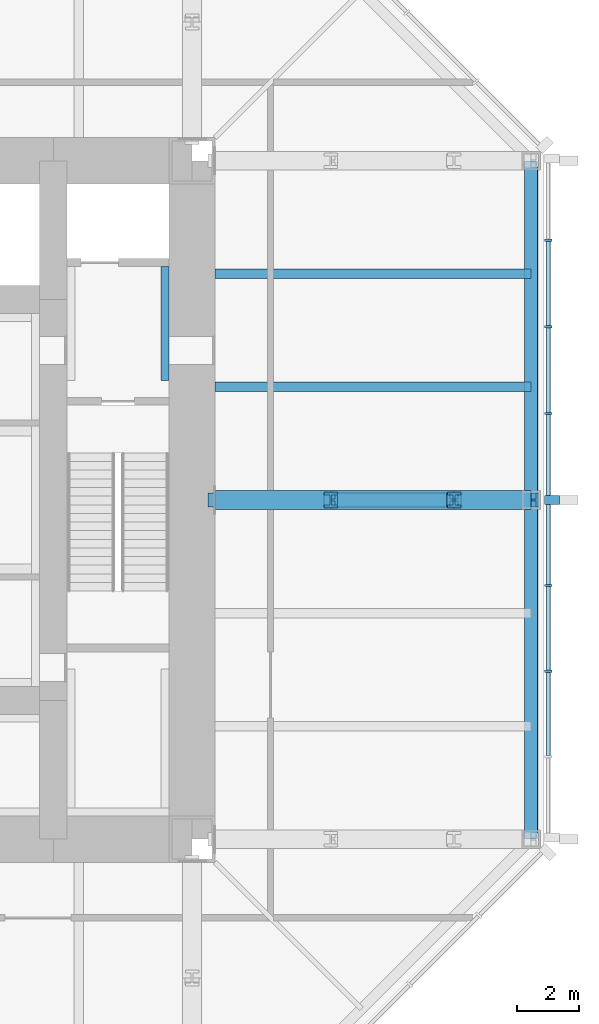
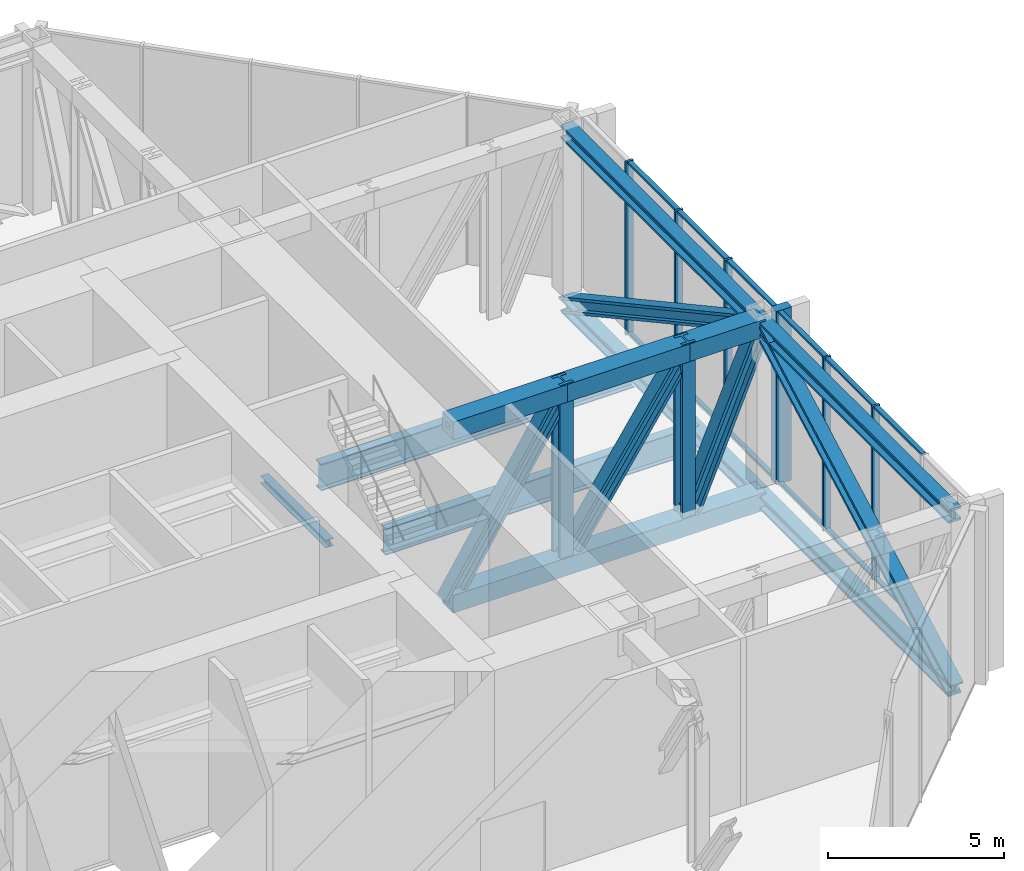
# One storey, part 5 of 11: 25 members, 11 beams, 1 element without a shape of its own.
"""IFC4 building model written with IfcOpenShell, lengths in metres."""

from ifc_helpers import new_model, si_unit, direction, frame, origin, origin_2d, place, context, subcontext, project, spatial, rectangle, hollow_rectangle, i_section, extrude, material, material_profile, profile_set, type_object, element, aggregate, save


model = new_model("IFC4")

# Units and contexts
model_context = context("Model", 3, precision=1e-05, world=origin(), true_north=direction((0.0, 1.0)))
body_context = subcontext(model_context, "Body", "Model", "MODEL_VIEW")
ifc_project = project(units=[si_unit("LENGTHUNIT", "METRE"), si_unit("AREAUNIT", "SQUARE_METRE"), si_unit("VOLUMEUNIT", "CUBIC_METRE"), si_unit("PLANEANGLEUNIT", "RADIAN"), si_unit("MASSUNIT", "GRAM", prefix="KILO")], contexts=[model_context])

# Site, building, storey
site_placement = place(None, origin())
site = spatial("IfcSite", under=ifc_project, at=site_placement, CompositionType="ELEMENT")
building_placement = place(site_placement, origin())
building = spatial("IfcBuilding", under=site, at=building_placement, Name="Trevanion Tower", CompositionType="ELEMENT")
storey_placement = place(building_placement, frame((0.0, 0.0, 178.699951171875)))
storey = spatial("IfcBuildingStorey", under=building, at=storey_placement, Name="L42", CompositionType="ELEMENT", Elevation=178.699951171875)

# Beams
ifc_material_1 = material(Name="Steel ASTM A992 Grade 50", Category="steel")
ifc_material_profile_1 = material_profile(ifc_material_1, i_section(OverallWidth=0.307373046875, OverallDepth=0.922119140625, WebThickness=0.018310546875, FlangeThickness=0.030029296875, at=origin_2d()), Name="W36X182")
ifc_profile_set_1 = profile_set([ifc_material_profile_1], Name="Steel ASTM A992 Grade 50")
beam_type_1 = type_object("IfcBeamType", Name="B9 W36X182", PredefinedType="BEAM", material=ifc_profile_set_1)
for number, where, z_axis, x_axis, name in (
    (1, (11.75, 3.666748046875, -0.65087890625), (1.0, 0.0, 0.0), (0.0, 1.0, 0.0), "B9 L42"),
    (2, (11.75, 7.333251953125, -0.65087890625), (1.0, 0.0, 0.0), (0.0, 1.0, 0.0), "B9 L42"),
):
    element("IfcBeam", number, at=place(storey_placement, frame(where, z_axis=z_axis, x_axis=x_axis)), inside=storey, type_object=beam_type_1, Name=name, PredefinedType="BEAM", context=body_context, shape_type="SweptSolid", body=[
        extrude(i_section(OverallWidth=0.307373046875, OverallDepth=0.922119140625, WebThickness=0.018310546875, FlangeThickness=0.030029296875, at=origin_2d()), origin(), (0.0, 0.0, 1.0), 10.25),
    ])
ifc_material_2 = material(Name="Steel ASTM A992 Grade 50", Category="steel")
ifc_material_profile_2 = material_profile(ifc_material_2, i_section(OverallWidth=0.421630859375, OverallDepth=0.46484375, WebThickness=0.044921875, FlangeThickness=0.072509765625, at=origin_2d()), Name="W14X398")
ifc_profile_set_2 = profile_set([ifc_material_profile_2], Name="Steel ASTM A992 Grade 50")
beam_type_2 = type_object("IfcBeamType", Name="BT2-CH W14X398", PredefinedType="BEAM", material=ifc_profile_set_2)
for number, where, z_axis, x_axis, name in (
    (3, (22.0, -11.0, -0.494873046875), (0.0, 1.0, 0.0), (-1.0, 0.0, 0.0), "BT2 belt truss chord"),
    (4, (22.0, -11.0, 5.505126953125), (0.0, 1.0, 0.0), (-1.0, 0.0, 0.0), "BT2 belt truss chord"),
    (5, (22.0, 0.0, -0.494873046875), (0.0, 1.0, 0.0), (-1.0, 0.0, 0.0), "BT2 belt truss chord"),
    (6, (22.0, 0.0, 5.505126953125), (0.0, 1.0, 0.0), (-1.0, 0.0, 0.0), "BT2 belt truss chord"),
):
    element("IfcBeam", number, at=place(storey_placement, frame(where, z_axis=z_axis, x_axis=x_axis)), inside=storey, type_object=beam_type_2, Name=name, PredefinedType="BEAM", context=body_context, shape_type="SweptSolid", body=[
        extrude(i_section(OverallWidth=0.421630859375, OverallDepth=0.46484375, WebThickness=0.044921875, FlangeThickness=0.072509765625, at=origin_2d()), origin(), (0.0, 0.0, 1.0), 11.0),
    ])

# Members
ifc_material_3 = material(Name="Steel ASTM A992 Grade 50", Category="steel")
ifc_material_profile_3 = material_profile(ifc_material_3, i_section(OverallWidth=0.431884765625, OverallDepth=0.497802734375, WebThickness=0.0556640625, FlangeThickness=0.0888671875, at=origin_2d()), Name="W14X500")
ifc_profile_set_3 = profile_set([ifc_material_profile_3], Name="Steel ASTM A992 Grade 50")
member_type_1 = type_object("IfcMemberType", Name="BT2-D W14X500", PredefinedType="BRACE", material=ifc_profile_set_3)
for number, where, z_axis, x_axis, name in (
    (7, (22.0, -11.0, -0.494873046875), (0.0, 0.877895572914, 0.478852130681), (-1.0, 0.0, 0.0), "BT2 belt truss diagonal"),
    (8, (22.0, 11.0, -0.494873046875), (0.0, -0.877895572914, 0.478852130681), (1.0, 0.0, 0.0), "BT2 belt truss diagonal"),
):
    element("IfcMember", number, at=place(storey_placement, frame(where, z_axis=z_axis, x_axis=x_axis)), inside=storey, type_object=member_type_1, Name=name, PredefinedType="BRACE", context=body_context, shape_type="SweptSolid", body=[
        extrude(i_section(OverallWidth=0.431884765625, OverallDepth=0.497802734375, WebThickness=0.0556640625, FlangeThickness=0.0888671875, at=origin_2d()), origin(), (0.0, 0.0, 1.0), 12.530029296875),
    ])

# Curtain wall, members
ifc_material_4 = material(Name="Aluminium louvres", Category="aluminium")
curtain_wall_type = type_object("IfcCurtainWallType", Name="CWL curtain wall", PredefinedType="USERDEFINED", material=ifc_material_4)
curtain_wall_placement = place(storey_placement, origin())
curtain_wall = element("IfcCurtainWall", 9, at=curtain_wall_placement, inside=storey, type_object=curtain_wall_type, Name="CWL L42 0", ObjectType="LOUVRE SCREEN", PredefinedType="USERDEFINED")
ifc_material_5 = material(Name="Aluminium extrusion, anodised bronze", Category="aluminium")
ifc_material_profile_4 = material_profile(ifc_material_5, rectangle(XDim=0.074951171875, YDim=0.25, at=origin_2d()), Name="CWL mullion")
ifc_profile_set_4 = profile_set([ifc_material_profile_4], Name="Aluminium extrusion, anodised bronze")
member_type_2 = type_object("IfcMemberType", Name="CWL mullion", PredefinedType="MULLION", material=ifc_profile_set_4)
member_1_placement = place(storey_placement, frame((22.550048828125, -5.548828125, -0.18994140625), z_axis=(0.0, 0.0, 1.0), x_axis=(0.0, 1.0, 0.0)))
member_1 = element("IfcMember", 10, at=member_1_placement, type_object=member_type_2, Name="CWL mullion 3", PredefinedType="MULLION", context=body_context, shape_type="SweptSolid", body=[
    extrude(rectangle(XDim=0.074951171875, YDim=0.25, at=origin_2d()), origin(), (0.0, 0.0, 1.0), 6.0),
])
member_2_placement = place(storey_placement, frame((22.550048828125, -2.7744140625, -0.18994140625), z_axis=(0.0, 0.0, 1.0), x_axis=(0.0, 1.0, 0.0)))
member_2 = element("IfcMember", 11, at=member_2_placement, type_object=member_type_2, Name="CWL mullion 4", PredefinedType="MULLION", context=body_context, shape_type="SweptSolid", body=[
    extrude(rectangle(XDim=0.074951171875, YDim=0.25, at=origin_2d()), origin(), (0.0, 0.0, 1.0), 6.0),
])
member_3_placement = place(storey_placement, frame((22.550048828125, 2.806884765625, -0.18994140625), z_axis=(0.0, 0.0, 1.0), x_axis=(0.0, 1.0, 0.0)))
member_3 = element("IfcMember", 12, at=member_3_placement, type_object=member_type_2, Name="CWL mullion 6", PredefinedType="MULLION", context=body_context, shape_type="SweptSolid", body=[
    extrude(rectangle(XDim=0.074951171875, YDim=0.25, at=origin_2d()), origin(), (0.0, 0.0, 1.0), 6.0),
])
member_4_placement = place(storey_placement, frame((22.550048828125, 5.614013671875, -0.18994140625), z_axis=(0.0, 0.0, 1.0), x_axis=(0.0, 1.0, 0.0)))
member_4 = element("IfcMember", 13, at=member_4_placement, type_object=member_type_2, Name="CWL mullion 7", PredefinedType="MULLION", context=body_context, shape_type="SweptSolid", body=[
    extrude(rectangle(XDim=0.074951171875, YDim=0.25, at=origin_2d()), origin(), (0.0, 0.0, 1.0), 6.0),
])
member_5_placement = place(storey_placement, frame((22.550048828125, 8.4208984375, -0.18994140625), z_axis=(0.0, 0.0, 1.0), x_axis=(0.0, 1.0, 0.0)))
member_5 = element("IfcMember", 14, at=member_5_placement, type_object=member_type_2, Name="CWL mullion 8", PredefinedType="MULLION", context=body_context, shape_type="SweptSolid", body=[
    extrude(rectangle(XDim=0.074951171875, YDim=0.25, at=origin_2d()), origin(), (0.0, 0.0, 1.0), 6.0),
])
ifc_material_6 = material(Name="Aluminium extrusion, anodised bronze", Category="aluminium")
ifc_material_profile_5 = material_profile(ifc_material_6, rectangle(XDim=0.300048828125, YDim=0.5, at=origin_2d()), Name="CWL pier mullion")
ifc_profile_set_5 = profile_set([ifc_material_profile_5], Name="Aluminium extrusion, anodised bronze")
member_type_3 = type_object("IfcMemberType", Name="CWL pier mullion", PredefinedType="MULLION", material=ifc_profile_set_5)
member_6_placement = place(storey_placement, frame((22.675048828125, 0.0, -0.18994140625), z_axis=(0.0, 0.0, 1.0), x_axis=(0.0, 1.0, 0.0)))
member_6 = element("IfcMember", 15, at=member_6_placement, type_object=member_type_3, Name="CWL pier mullion 5", PredefinedType="MULLION", context=body_context, shape_type="SweptSolid", body=[
    extrude(rectangle(XDim=0.300048828125, YDim=0.5, at=origin_2d()), origin(), (0.0, 0.0, 1.0), 6.0),
])
ifc_material_7 = material(Name="Aluminium extrusion, anodised bronze", Category="aluminium")
ifc_material_profile_6 = material_profile(ifc_material_7, rectangle(XDim=0.14990234375, YDim=0.074951171875, at=origin_2d()), Name="CWL transom")
ifc_profile_set_6 = profile_set([ifc_material_profile_6], Name="Aluminium extrusion, anodised bronze")
member_type_4 = type_object("IfcMemberType", Name="CWL transom", PredefinedType="USERDEFINED", material=ifc_profile_set_6)
member_7_placement = place(storey_placement, frame((22.550048828125, -8.285888671875, -0.15234375), z_axis=(0.0, 1.0, 0.0), x_axis=(-1.0, 0.0, 0.0)))
member_7 = element("IfcMember", 16, at=member_7_placement, type_object=member_type_4, Name="CWL transom 2.1", ObjectType="TRANSOM", PredefinedType="USERDEFINED", context=body_context, shape_type="SweptSolid", body=[
    extrude(rectangle(XDim=0.14990234375, YDim=0.074951171875, at=origin_2d()), origin(), (0.0, 0.0, 1.0), 2.699462890625),
])
member_8_placement = place(storey_placement, frame((22.550048828125, -8.285888671875, 5.7724609375), z_axis=(0.0, 1.0, 0.0), x_axis=(-1.0, 0.0, 0.0)))
member_8 = element("IfcMember", 17, at=member_8_placement, type_object=member_type_4, Name="CWL transom 2.2", ObjectType="TRANSOM", PredefinedType="USERDEFINED", context=body_context, shape_type="SweptSolid", body=[
    extrude(rectangle(XDim=0.14990234375, YDim=0.074951171875, at=origin_2d()), origin(), (0.0, 0.0, 1.0), 2.699462890625),
])
member_9_placement = place(storey_placement, frame((22.550048828125, -5.511474609375, -0.15234375), z_axis=(0.0, 1.0, 0.0), x_axis=(-1.0, 0.0, 0.0)))
member_9 = element("IfcMember", 18, at=member_9_placement, type_object=member_type_4, Name="CWL transom 3.1", ObjectType="TRANSOM", PredefinedType="USERDEFINED", context=body_context, shape_type="SweptSolid", body=[
    extrude(rectangle(XDim=0.14990234375, YDim=0.074951171875, at=origin_2d()), origin(), (0.0, 0.0, 1.0), 2.699462890625),
])
member_10_placement = place(storey_placement, frame((22.550048828125, -5.511474609375, 5.7724609375), z_axis=(0.0, 1.0, 0.0), x_axis=(-1.0, 0.0, 0.0)))
member_10 = element("IfcMember", 19, at=member_10_placement, type_object=member_type_4, Name="CWL transom 3.2", ObjectType="TRANSOM", PredefinedType="USERDEFINED", context=body_context, shape_type="SweptSolid", body=[
    extrude(rectangle(XDim=0.14990234375, YDim=0.074951171875, at=origin_2d()), origin(), (0.0, 0.0, 1.0), 2.699462890625),
])
member_11_placement = place(storey_placement, frame((22.550048828125, -2.737060546875, -0.15234375), z_axis=(0.0, 1.0, 0.0), x_axis=(-1.0, 0.0, 0.0)))
member_11 = element("IfcMember", 20, at=member_11_placement, type_object=member_type_4, Name="CWL transom 4.1", ObjectType="TRANSOM", PredefinedType="USERDEFINED", context=body_context, shape_type="SweptSolid", body=[
    extrude(rectangle(XDim=0.14990234375, YDim=0.074951171875, at=origin_2d()), origin(), (0.0, 0.0, 1.0), 2.587158203125),
])
member_12_placement = place(storey_placement, frame((22.550048828125, -2.737060546875, 5.7724609375), z_axis=(0.0, 1.0, 0.0), x_axis=(-1.0, 0.0, 0.0)))
member_12 = element("IfcMember", 21, at=member_12_placement, type_object=member_type_4, Name="CWL transom 4.2", ObjectType="TRANSOM", PredefinedType="USERDEFINED", context=body_context, shape_type="SweptSolid", body=[
    extrude(rectangle(XDim=0.14990234375, YDim=0.074951171875, at=origin_2d()), origin(), (0.0, 0.0, 1.0), 2.587158203125),
])
member_13_placement = place(storey_placement, frame((22.550048828125, 0.14990234375, -0.15234375), z_axis=(0.0, 1.0, 0.0), x_axis=(-1.0, 0.0, 0.0)))
member_13 = element("IfcMember", 22, at=member_13_placement, type_object=member_type_4, Name="CWL transom 5.1", ObjectType="TRANSOM", PredefinedType="USERDEFINED", context=body_context, shape_type="SweptSolid", body=[
    extrude(rectangle(XDim=0.14990234375, YDim=0.074951171875, at=origin_2d()), origin(), (0.0, 0.0, 1.0), 2.619384765625),
])
member_14_placement = place(storey_placement, frame((22.550048828125, 0.14990234375, 5.7724609375), z_axis=(0.0, 1.0, 0.0), x_axis=(-1.0, 0.0, 0.0)))
member_14 = element("IfcMember", 23, at=member_14_placement, type_object=member_type_4, Name="CWL transom 5.2", ObjectType="TRANSOM", PredefinedType="USERDEFINED", context=body_context, shape_type="SweptSolid", body=[
    extrude(rectangle(XDim=0.14990234375, YDim=0.074951171875, at=origin_2d()), origin(), (0.0, 0.0, 1.0), 2.619384765625),
])
member_15_placement = place(storey_placement, frame((22.550048828125, 2.844482421875, -0.15234375), z_axis=(0.0, 1.0, 0.0), x_axis=(-1.0, 0.0, 0.0)))
member_15 = element("IfcMember", 24, at=member_15_placement, type_object=member_type_4, Name="CWL transom 6.1", ObjectType="TRANSOM", PredefinedType="USERDEFINED", context=body_context, shape_type="SweptSolid", body=[
    extrude(rectangle(XDim=0.14990234375, YDim=0.074951171875, at=origin_2d()), origin(), (0.0, 0.0, 1.0), 2.73193359375),
])
member_16_placement = place(storey_placement, frame((22.550048828125, 2.844482421875, 5.7724609375), z_axis=(0.0, 1.0, 0.0), x_axis=(-1.0, 0.0, 0.0)))
member_16 = element("IfcMember", 25, at=member_16_placement, type_object=member_type_4, Name="CWL transom 6.2", ObjectType="TRANSOM", PredefinedType="USERDEFINED", context=body_context, shape_type="SweptSolid", body=[
    extrude(rectangle(XDim=0.14990234375, YDim=0.074951171875, at=origin_2d()), origin(), (0.0, 0.0, 1.0), 2.73193359375),
])
member_17_placement = place(storey_placement, frame((22.550048828125, 5.6513671875, -0.15234375), z_axis=(0.0, 1.0, 0.0), x_axis=(-1.0, 0.0, 0.0)))
member_17 = element("IfcMember", 26, at=member_17_placement, type_object=member_type_4, Name="CWL transom 7.1", ObjectType="TRANSOM", PredefinedType="USERDEFINED", context=body_context, shape_type="SweptSolid", body=[
    extrude(rectangle(XDim=0.14990234375, YDim=0.074951171875, at=origin_2d()), origin(), (0.0, 0.0, 1.0), 2.73193359375),
])
member_18_placement = place(storey_placement, frame((22.550048828125, 5.6513671875, 5.7724609375), z_axis=(0.0, 1.0, 0.0), x_axis=(-1.0, 0.0, 0.0)))
member_18 = element("IfcMember", 27, at=member_18_placement, type_object=member_type_4, Name="CWL transom 7.2", ObjectType="TRANSOM", PredefinedType="USERDEFINED", context=body_context, shape_type="SweptSolid", body=[
    extrude(rectangle(XDim=0.14990234375, YDim=0.074951171875, at=origin_2d()), origin(), (0.0, 0.0, 1.0), 2.73193359375),
])
aggregate(curtain_wall, [member_1, member_2, member_6, member_3, member_4, member_5, member_7, member_8, member_9, member_10, member_11, member_12, member_13, member_14, member_15, member_16, member_17, member_18])

# Beams
ifc_material_8 = material(Name="Steel ASTM A992 Grade 50", Category="steel")
ifc_material_profile_7 = material_profile(ifc_material_8, i_section(OverallWidth=0.256591796875, OverallDepth=0.26416015625, WebThickness=0.011962890625, FlangeThickness=0.01953125, at=origin_2d()), Name="W10X68")
ifc_profile_set_7 = profile_set([ifc_material_profile_7], Name="Steel ASTM A992 Grade 50")
beam_type_3 = type_object("IfcBeamType", Name="LB1 W10X68", PredefinedType="BEAM", material=ifc_profile_set_7)
beam_1_placement = place(storey_placement, frame((10.12158203125, 3.875, -0.33203125), z_axis=(0.0, 1.0, 0.0), x_axis=(-1.0, 0.0, 0.0)))
element("IfcBeam", 28, at=beam_1_placement, inside=storey, type_object=beam_type_3, Name="LB1 L42", PredefinedType="BEAM", context=body_context, shape_type="SweptSolid", body=[
    extrude(i_section(OverallWidth=0.256591796875, OverallDepth=0.26416015625, WebThickness=0.011962890625, FlangeThickness=0.01953125, at=origin_2d()), origin(), (0.0, 0.0, 1.0), 3.699951171875),
])
ifc_material_9 = material(Name="Steel ASTM A588 Grade 50", Category="steel")
ifc_material_profile_8 = material_profile(ifc_material_9, hollow_rectangle(XDim=0.609619140625, YDim=0.609619140625, WallThickness=0.203125, at=origin_2d()), Name="BOX24X24X8")
ifc_profile_set_8 = profile_set([ifc_material_profile_8], Name="Steel ASTM A588 Grade 50")
beam_type_4 = type_object("IfcBeamType", Name="OT2-CH BOX24X24X8", PredefinedType="BEAM", material=ifc_profile_set_8)
beam_2_placement = place(storey_placement, frame((11.75, 0.0, -0.494873046875), z_axis=(1.0, 0.0, 0.0), x_axis=(0.0, 1.0, 0.0)))
element("IfcBeam", 29, at=beam_2_placement, inside=storey, type_object=beam_type_4, Name="OT2 16/H outrigger and transfer truss chord", PredefinedType="BEAM", context=body_context, shape_type="SweptSolid", body=[
    extrude(hollow_rectangle(XDim=0.609619140625, YDim=0.609619140625, WallThickness=0.203125, at=origin_2d()), origin(), (0.0, 0.0, 1.0), 10.25),
])
beam_3_placement = place(storey_placement, frame((11.75, 0.0, 5.505126953125), z_axis=(1.0, 0.0, 0.0), x_axis=(0.0, 1.0, 0.0)))
element("IfcBeam", 30, at=beam_3_placement, inside=storey, type_object=beam_type_4, Name="OT2 16/H outrigger and transfer truss chord", PredefinedType="BEAM", context=body_context, shape_type="SweptSolid", body=[
    extrude(hollow_rectangle(XDim=0.609619140625, YDim=0.609619140625, WallThickness=0.203125, at=origin_2d()), origin(), (0.0, 0.0, 1.0), 3.75),
])
beam_4_placement = place(storey_placement, frame((15.5, 0.0, 5.505126953125), z_axis=(1.0, 0.0, 0.0), x_axis=(0.0, 1.0, 0.0)))
element("IfcBeam", 31, at=beam_4_placement, inside=storey, type_object=beam_type_4, Name="OT2 16/H outrigger and transfer truss chord", PredefinedType="BEAM", context=body_context, shape_type="SweptSolid", body=[
    extrude(hollow_rectangle(XDim=0.609619140625, YDim=0.609619140625, WallThickness=0.203125, at=origin_2d()), origin(), (0.0, 0.0, 1.0), 4.0),
])
beam_5_placement = place(storey_placement, frame((19.5, 0.0, 5.505126953125), z_axis=(1.0, 0.0, 0.0), x_axis=(0.0, 1.0, 0.0)))
element("IfcBeam", 32, at=beam_5_placement, inside=storey, type_object=beam_type_4, Name="OT2 16/H outrigger and transfer truss chord", PredefinedType="BEAM", context=body_context, shape_type="SweptSolid", body=[
    extrude(hollow_rectangle(XDim=0.609619140625, YDim=0.609619140625, WallThickness=0.203125, at=origin_2d()), origin(), (0.0, 0.0, 1.0), 2.5),
])

# Members
ifc_material_10 = material(Name="Steel ASTM A992 Grade 50", Category="steel")
ifc_material_profile_9 = material_profile(ifc_material_10, i_section(OverallWidth=0.44189453125, OverallDepth=0.53076171875, WebThickness=0.06591796875, FlangeThickness=0.105712890625, at=origin_2d()), Name="W14X605")
ifc_profile_set_9 = profile_set([ifc_material_profile_9], Name="Steel ASTM A992 Grade 50")
member_type_5 = type_object("IfcMemberType", Name="OT2-D W14X605", PredefinedType="BRACE", material=ifc_profile_set_9)
member_19_placement = place(storey_placement, frame((11.75, 0.0, -0.494873046875), z_axis=(0.529998940003, 0.0, 0.847998304005), x_axis=(0.0, 1.0, 0.0)))
element("IfcMember", 33, at=member_19_placement, inside=storey, type_object=member_type_5, Name="OT2 16/H outrigger and transfer truss diagonal", PredefinedType="BRACE", context=body_context, shape_type="SweptSolid", body=[
    extrude(i_section(OverallWidth=0.44189453125, OverallDepth=0.53076171875, WebThickness=0.06591796875, FlangeThickness=0.105712890625, at=origin_2d()), origin(), (0.0, 0.0, 1.0), 7.075439453125),
])
member_20_placement = place(storey_placement, frame((15.5, 0.0, -0.494873046875), z_axis=(0.554700196225, 0.0, 0.832050294338), x_axis=(0.0, 1.0, 0.0)))
element("IfcMember", 34, at=member_20_placement, inside=storey, type_object=member_type_5, Name="OT2 16/H outrigger and transfer truss diagonal", PredefinedType="BRACE", context=body_context, shape_type="SweptSolid", body=[
    extrude(i_section(OverallWidth=0.44189453125, OverallDepth=0.53076171875, WebThickness=0.06591796875, FlangeThickness=0.105712890625, at=origin_2d()), origin(), (0.0, 0.0, 1.0), 7.211181640625),
])
member_21_placement = place(storey_placement, frame((19.5, 0.0, -0.494873046875), z_axis=(0.384615384615, 0.0, 0.923076923077), x_axis=(0.0, 1.0, 0.0)))
element("IfcMember", 35, at=member_21_placement, inside=storey, type_object=member_type_5, Name="OT2 16/H outrigger and transfer truss diagonal", PredefinedType="BRACE", context=body_context, shape_type="SweptSolid", body=[
    extrude(i_section(OverallWidth=0.44189453125, OverallDepth=0.53076171875, WebThickness=0.06591796875, FlangeThickness=0.105712890625, at=origin_2d()), origin(), (0.0, 0.0, 1.0), 6.5),
])
ifc_material_11 = material(Name="Steel ASTM A992 Grade 50", Category="steel")
ifc_material_profile_10 = material_profile(ifc_material_11, i_section(OverallWidth=0.436767578125, OverallDepth=0.51318359375, WebThickness=0.060546875, FlangeThickness=0.096923828125, at=origin_2d()), Name="W14X550")
ifc_profile_set_10 = profile_set([ifc_material_profile_10], Name="Steel ASTM A992 Grade 50")
member_type_6 = type_object("IfcMemberType", Name="OT2-V W14X550", PredefinedType="POST", material=ifc_profile_set_10)
for number, where, z_axis, x_axis, name in (
    (36, (15.5, 0.0, -0.494873046875), (0.0, 0.0, 1.0), (1.0, 0.0, 0.0), "OT2 16/H outrigger and transfer truss vertical"),
    (37, (19.5, 0.0, -0.494873046875), (0.0, 0.0, 1.0), (1.0, 0.0, 0.0), "OT2 16/H outrigger and transfer truss vertical"),
):
    element("IfcMember", number, at=place(storey_placement, frame(where, z_axis=z_axis, x_axis=x_axis)), inside=storey, type_object=member_type_6, Name=name, PredefinedType="POST", context=body_context, shape_type="SweptSolid", body=[
        extrude(i_section(OverallWidth=0.436767578125, OverallDepth=0.51318359375, WebThickness=0.060546875, FlangeThickness=0.096923828125, at=origin_2d()), origin(), (0.0, 0.0, 1.0), 6.304931640625),
    ])

save(model, "model.ifc")
